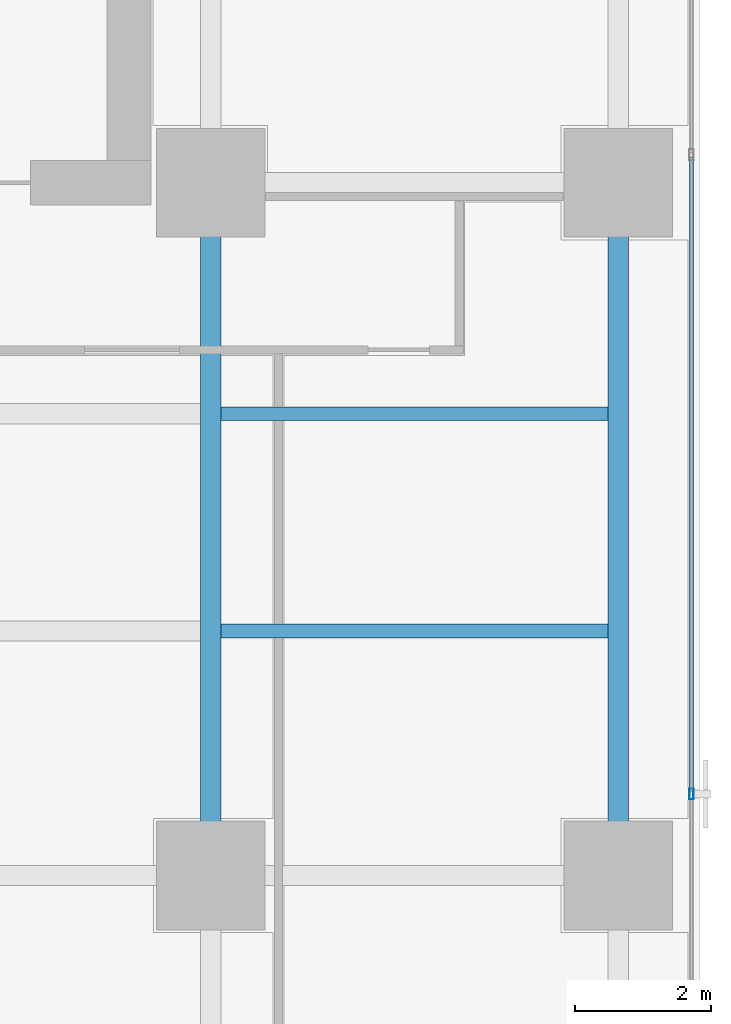
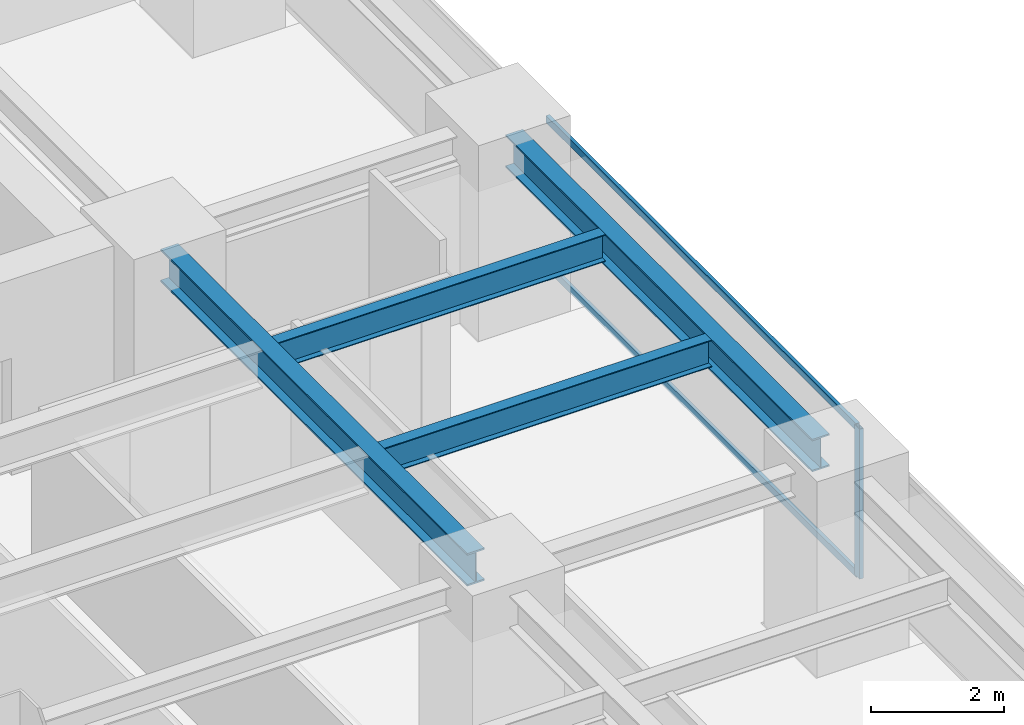
# One storey, part 13 of 28: 4 beams, 3 members, 1 element without a shape of its own.
"""IFC4 building model written with IfcOpenShell, lengths in metres."""

from ifc_helpers import new_model, si_unit, direction, frame, origin, origin_2d, place, context, subcontext, project, spatial, hollow_rectangle, i_section, extrude, source, transform, mapped, material, layer, layer_set, material_profile, profile_set, type_object, element, aggregate, save


model = new_model("IFC4")

# Units and contexts
model_context = context("Model", 3, precision=1e-05, world=origin(), true_north=direction((0.0, 1.0)))
body_context = subcontext(model_context, "Body", "Model", "MODEL_VIEW")
ifc_project = project(units=[si_unit("LENGTHUNIT", "METRE"), si_unit("AREAUNIT", "SQUARE_METRE"), si_unit("VOLUMEUNIT", "CUBIC_METRE"), si_unit("PLANEANGLEUNIT", "RADIAN"), si_unit("MASSUNIT", "GRAM", prefix="KILO")], contexts=[model_context])

# Site, building, storey
site_placement = place(None, origin())
site = spatial("IfcSite", under=ifc_project, at=site_placement, CompositionType="ELEMENT")
building_placement = place(site_placement, origin())
building = spatial("IfcBuilding", under=site, at=building_placement, Name="Sumidabori Civic Tower", CompositionType="ELEMENT")
storey_placement = place(building_placement, frame((0.0, 0.0, 178.39990234375)))
storey = spatial("IfcBuildingStorey", under=building, at=storey_placement, Name="L46", CompositionType="ELEMENT", Elevation=178.39990234375)

# Beams
ifc_material_1 = material(Name="Steel SN490", Category="steel")
ifc_material_profile_1 = material_profile(ifc_material_1, i_section(OverallWidth=0.300048828125, OverallDepth=0.60009765625, WebThickness=0.015380859375, FlangeThickness=0.030029296875, at=origin_2d()), Name="HE 600 B")
ifc_profile_set_1 = profile_set([ifc_material_profile_1], Name="Steel SN490")
beam_type_1 = type_object("IfcBeamType", Name="BM-GIRD-600", PredefinedType="BEAM", material=ifc_profile_set_1)
shared_shape_1 = source(origin(), body_context, "Body", "SweptSolid", [
    extrude(i_section(OverallWidth=0.300048828125, OverallDepth=0.60009765625, WebThickness=0.015380859375, FlangeThickness=0.030029296875, at=origin_2d()), origin(), (0.0, 0.0, 1.0), 9.239990234375),
])
for number, where, z_axis, x_axis, name in (
    (1, (16.800048828125, 0.47998046875, 3.080078125), (0.0, 1.0, 0.0), (-1.0, 0.0, 0.0), "Primary Girder L46 GY-34"),
    (2, (22.800048828125, 0.47998046875, 3.080078125), (0.0, 1.0, 0.0), (-1.0, 0.0, 0.0), "Primary Girder L46 GY-37"),
):
    element("IfcBeam", number, at=place(storey_placement, frame(where, z_axis=z_axis, x_axis=x_axis)), inside=storey, type_object=beam_type_1, Name=name, PredefinedType="BEAM", context=body_context, shape_type="MappedRepresentation", body=[
        mapped(shared_shape_1, transform((0.0, 0.0, 0.0), x_axis=(1.0, 0.0, 0.0), y_axis=(0.0, 1.0, 0.0), z_axis=(0.0, 0.0, 1.0), scale=1.0)),
    ])
ifc_material_profile_2 = material_profile(ifc_material_1, i_section(OverallWidth=0.199951171875, OverallDepth=0.5, WebThickness=0.01025390625, FlangeThickness=0.01611328125, at=origin_2d()), Name="IPE 500")
ifc_profile_set_2 = profile_set([ifc_material_profile_2], Name="Steel SN490")
beam_type_2 = type_object("IfcBeamType", Name="BM-JST-500", PredefinedType="JOIST", material=ifc_profile_set_2)
shared_shape_2 = source(origin(), body_context, "Body", "SweptSolid", [
    extrude(i_section(OverallWidth=0.199951171875, OverallDepth=0.5, WebThickness=0.01025390625, FlangeThickness=0.01611328125, at=origin_2d()), origin(), (0.0, 0.0, 1.0), 5.699951171875),
])
for number, where, z_axis, x_axis, name in (
    (3, (16.949951171875, 3.60009765625, 3.130126953125), (1.0, 0.0, 0.0), (0.0, 1.0, 0.0), "Outer Bay Floor Joist L46 JSTO-44"),
    (4, (16.949951171875, 6.800048828125, 3.130126953125), (1.0, 0.0, 0.0), (0.0, 1.0, 0.0), "Outer Bay Floor Joist L46 JSTO-46"),
):
    element("IfcBeam", number, at=place(storey_placement, frame(where, z_axis=z_axis, x_axis=x_axis)), inside=storey, type_object=beam_type_2, Name=name, PredefinedType="JOIST", context=body_context, shape_type="MappedRepresentation", body=[
        mapped(shared_shape_2, transform((0.0, 0.0, 0.0), x_axis=(1.0, 0.0, 0.0), y_axis=(0.0, 1.0, 0.0), z_axis=(0.0, 0.0, 1.0), scale=1.0)),
    ])

# Curtain wall, members
ifc_material_2 = material(Name="Anodised Bronze Aluminium AW-6063-T6", Category="aluminium")
ifc_layer = layer(ifc_material_2, 0.179931640625, Name="Anodised Bronze Aluminium AW-6063-T6")
ifc_layer_set = layer_set([ifc_layer], Name="Anodised Bronze Aluminium AW-6063-T6")
curtain_wall_type = type_object("IfcCurtainWallType", Name="CW-SYS-3", PredefinedType="NOTDEFINED", material=ifc_layer_set)
curtain_wall_placement = place(storey_placement, origin())
curtain_wall = element("IfcCurtainWall", 5, at=curtain_wall_placement, inside=storey, type_object=curtain_wall_type, Name="Curtain Wall CW:L46:R04", PredefinedType="NOTDEFINED")
ifc_material_profile_3 = material_profile(ifc_material_2, hollow_rectangle(XDim=0.06494140625, YDim=0.159912109375, WallThickness=0.0048828125, at=origin_2d()), Name="ALU MULLION 160x65")
ifc_profile_set_3 = profile_set([ifc_material_profile_3], Name="Anodised Bronze Aluminium AW-6063-T6")
member_type_1 = type_object("IfcMemberType", Name="CW-MUL-160", PredefinedType="MULLION", material=ifc_profile_set_3)
shared_shape_3 = source(origin(), body_context, "Body", "SweptSolid", [
    extrude(hollow_rectangle(XDim=0.06494140625, YDim=0.159912109375, WallThickness=0.0048828125, at=origin_2d()), origin(), (0.0, 0.0, 1.0), 2.760009765625),
])
member_1_placement = place(storey_placement, frame((23.8798828125, 1.199951171875, 0.0), z_axis=(0.0, 0.0, 1.0), x_axis=(-1.0, 0.0, 0.0)))
member_1 = element("IfcMember", 6, at=member_1_placement, type_object=member_type_1, Name="CW-3 mullion 3", PredefinedType="MULLION", context=body_context, shape_type="MappedRepresentation", body=[
    mapped(shared_shape_3, transform((0.0, 0.0, 0.0), x_axis=(1.0, 0.0, 0.0), y_axis=(0.0, 1.0, 0.0), z_axis=(0.0, 0.0, 1.0), scale=1.0)),
])
ifc_material_profile_4 = material_profile(ifc_material_2, hollow_rectangle(XDim=0.06005859375, YDim=0.1298828125, WallThickness=0.0048828125, at=origin_2d()), Name="ALU TRANSOM 130x60")
ifc_profile_set_4 = profile_set([ifc_material_profile_4], Name="Anodised Bronze Aluminium AW-6063-T6")
member_type_2 = type_object("IfcMemberType", Name="CW-TRN-130", PredefinedType="USERDEFINED", material=ifc_profile_set_4)
shared_shape_4 = source(origin(), body_context, "Body", "SweptSolid", [
    extrude(hollow_rectangle(XDim=0.06005859375, YDim=0.1298828125, WallThickness=0.0048828125, at=origin_2d()), origin(), (0.0, 0.0, 1.0), 9.344970703125),
])
member_2_placement = place(storey_placement, frame((23.8798828125, 1.232421875, 0.030029296875), z_axis=(0.0, 1.0, 0.0), x_axis=(-1.0, 0.0, 0.0)))
member_2 = element("IfcMember", 7, at=member_2_placement, type_object=member_type_2, Name="CW-3 transom 3.1", ObjectType="TRANSOM", PredefinedType="USERDEFINED", context=body_context, shape_type="MappedRepresentation", body=[
    mapped(shared_shape_4, transform((0.0, 0.0, 0.0), x_axis=(1.0, 0.0, 0.0), y_axis=(0.0, 1.0, 0.0), z_axis=(0.0, 0.0, 1.0), scale=1.0)),
])
member_3_placement = place(storey_placement, frame((23.8798828125, 1.232421875, 2.72998046875), z_axis=(0.0, 1.0, 0.0), x_axis=(-1.0, 0.0, 0.0)))
member_3 = element("IfcMember", 8, at=member_3_placement, type_object=member_type_2, Name="CW-3 transom 3.2", ObjectType="TRANSOM", PredefinedType="USERDEFINED", context=body_context, shape_type="MappedRepresentation", body=[
    mapped(shared_shape_4, transform((0.0, 0.0, 0.0), x_axis=(1.0, 0.0, 0.0), y_axis=(0.0, 1.0, 0.0), z_axis=(0.0, 0.0, 1.0), scale=1.0)),
])
aggregate(curtain_wall, [member_1, member_2, member_3])

save(model, "model.ifc")
